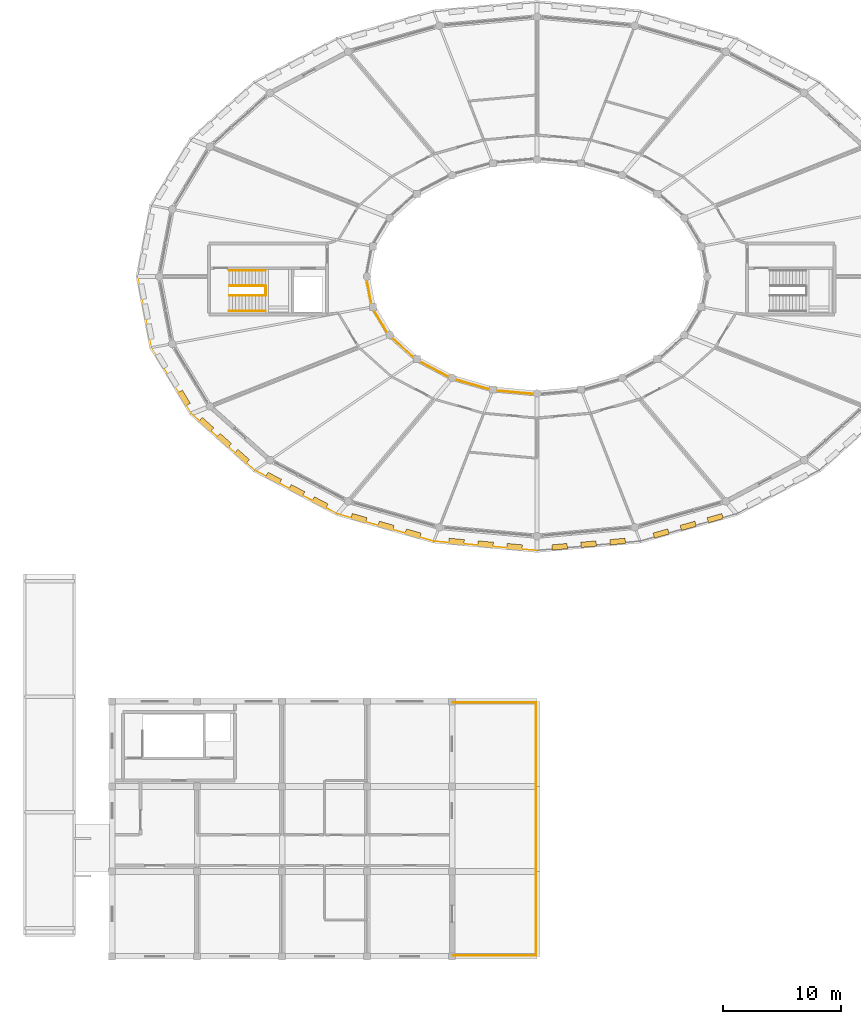
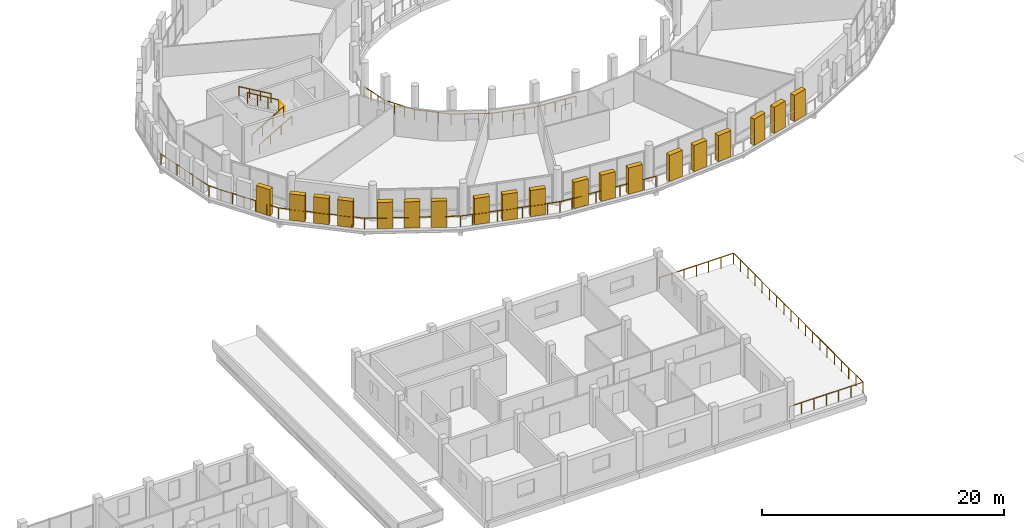
# One storey, part 88 of 93: 19 shading devices, 10 railings.
"""IFC4 building model written with IfcOpenShell, lengths in metres."""

from ifc_helpers import new_model, si_unit, direction, frame, origin, origin_2d, place, context, subcontext, project, spatial, rectangle, circle, extrude, material, type_object, element, save


model = new_model("IFC4")

# Units and contexts
model_context = context("Model", 3, precision=1e-05, world=origin(), true_north=direction((0.0, 1.0)))
body_context = subcontext(model_context, "Body", "Model", "MODEL_VIEW")
ifc_project = project(units=[si_unit("LENGTHUNIT", "METRE"), si_unit("AREAUNIT", "SQUARE_METRE"), si_unit("VOLUMEUNIT", "CUBIC_METRE"), si_unit("PLANEANGLEUNIT", "RADIAN"), si_unit("MASSUNIT", "GRAM", prefix="KILO")], contexts=[model_context])

# Site, building, storey
site_placement = place(None, origin())
site = spatial("IfcSite", under=ifc_project, at=site_placement, CompositionType="ELEMENT")
building_placement = place(site_placement, origin())
building = spatial("IfcBuilding", under=site, at=building_placement, Name="Zornivar Specialist Clinic", CompositionType="ELEMENT")
storey_placement = place(building_placement, frame((0.0, 0.0, 8.39990234375)))
storey = spatial("IfcBuildingStorey", under=building, at=storey_placement, Name="L02", CompositionType="ELEMENT", Elevation=8.39990234375)

# Railings
ifc_material_1 = material(Name="Painted Steel and Oiled Timber Balustrade", Category="steel")
railing_type_1 = type_object("IfcRailingType", Name="GRD-EXT-BALUST-1100", PredefinedType="BALUSTRADE", material=ifc_material_1)
railing_1_placement = place(storey_placement, frame((59.74609375, 57.571044921875, 0.0)))
element("IfcRailing", 1, at=railing_1_placement, inside=storey, type_object=railing_type_1, Name="rail:V1:L02:balc:q2", PredefinedType="BALUSTRADE", context=body_context, shape_type="SweptSolid", body=[
    extrude(circle(Radius=0.02392578125, at=origin_2d()), frame((0.0, 0.0, 1.076171875), z_axis=(0.188188814184, -0.982132867903, 0.0), x_axis=(0.982132867903, 0.188188814184, 0.0)), (0.0, 0.0, 1.0), 6.105224609375),
    extrude(circle(Radius=0.02392578125, at=origin_2d()), frame((1.14892578125, -5.99609375, 1.076171875), z_axis=(0.516422508188, -0.856333926127, 0.0), x_axis=(0.856333926127, 0.516422508188, 0.0)), (0.0, 0.0, 1.0), 6.5546875),
    extrude(circle(Radius=0.02392578125, at=origin_2d()), frame((4.533935546875, -11.609130859375, 1.076171875), z_axis=(0.745201542332, -0.666839306959, 0.0), x_axis=(0.666839306959, 0.745201542332, 0.0)), (0.0, 0.0, 1.0), 7.224853515625),
    extrude(circle(Radius=0.02392578125, at=origin_2d()), frame((9.91796875, -16.427001953125, 1.076171875), z_axis=(0.884811989173, -0.465948220101, 0.0), x_axis=(0.465948220101, 0.884811989173, 0.0)), (0.0, 0.0, 1.0), 7.92822265625),
    extrude(circle(Radius=0.02392578125, at=origin_2d()), frame((16.932861328125, -20.12109375, 1.076171875), z_axis=(0.961950479971, -0.273223853432, 0.0), x_axis=(0.273223853432, 0.961950479971, 0.0)), (0.0, 0.0, 1.0), 8.487060546875),
    extrude(circle(Radius=0.02392578125, at=origin_2d()), frame((25.096923828125, -22.43994140625, 1.076171875), z_axis=(0.995947380316, -0.089937843218, 0.0), x_axis=(0.089937843218, 0.995947380316, 0.0)), (0.0, 0.0, 1.0), 8.762451171875),
    extrude(circle(Radius=0.02099609375, at=origin_2d()), origin(), (0.0, 0.0, 1.0), 1.052001953125),
    extrude(circle(Radius=0.02099609375, at=origin_2d()), frame((0.19140625, -0.999267578125, 0.0)), (0.0, 0.0, 1.0), 1.052001953125),
    extrude(circle(Radius=0.02099609375, at=origin_2d()), frame((0.383056640625, -1.998779296875, 0.0)), (0.0, 0.0, 1.0), 1.052001953125),
    extrude(circle(Radius=0.02099609375, at=origin_2d()), frame((0.574462890625, -2.998046875, 0.0)), (0.0, 0.0, 1.0), 1.052001953125),
    extrude(circle(Radius=0.02099609375, at=origin_2d()), frame((0.765869140625, -3.997314453125, 0.0)), (0.0, 0.0, 1.0), 1.052001953125),
    extrude(circle(Radius=0.02099609375, at=origin_2d()), frame((0.95751953125, -4.996826171875, 0.0)), (0.0, 0.0, 1.0), 1.052001953125),
    extrude(circle(Radius=0.02099609375, at=origin_2d()), frame((1.14892578125, -5.99609375, 0.0)), (0.0, 0.0, 1.0), 1.052001953125),
    extrude(circle(Radius=0.02099609375, at=origin_2d()), frame((1.713134765625, -6.931640625, 0.0)), (0.0, 0.0, 1.0), 1.052001953125),
    extrude(circle(Radius=0.02099609375, at=origin_2d()), frame((2.27734375, -7.8671875, 0.0)), (0.0, 0.0, 1.0), 1.052001953125),
    extrude(circle(Radius=0.02099609375, at=origin_2d()), frame((2.84130859375, -8.802734375, 0.0)), (0.0, 0.0, 1.0), 1.052001953125),
    extrude(circle(Radius=0.02099609375, at=origin_2d()), frame((3.405517578125, -9.738037109375, 0.0)), (0.0, 0.0, 1.0), 1.052001953125),
    extrude(circle(Radius=0.02099609375, at=origin_2d()), frame((3.9697265625, -10.673583984375, 0.0)), (0.0, 0.0, 1.0), 1.052001953125),
    extrude(circle(Radius=0.02099609375, at=origin_2d()), frame((4.533935546875, -11.609130859375, 0.0)), (0.0, 0.0, 1.0), 1.052001953125),
    extrude(circle(Radius=0.02099609375, at=origin_2d()), frame((5.302978515625, -12.29736328125, 0.0)), (0.0, 0.0, 1.0), 1.052001953125),
    extrude(circle(Radius=0.02099609375, at=origin_2d()), frame((6.072265625, -12.985595703125, 0.0)), (0.0, 0.0, 1.0), 1.052001953125),
    extrude(circle(Radius=0.02099609375, at=origin_2d()), frame((6.84130859375, -13.673828125, 0.0)), (0.0, 0.0, 1.0), 1.052001953125),
    extrude(circle(Radius=0.02099609375, at=origin_2d()), frame((7.610595703125, -14.3623046875, 0.0)), (0.0, 0.0, 1.0), 1.052001953125),
    extrude(circle(Radius=0.02099609375, at=origin_2d()), frame((8.379638671875, -15.050537109375, 0.0)), (0.0, 0.0, 1.0), 1.052001953125),
    extrude(circle(Radius=0.02099609375, at=origin_2d()), frame((9.14892578125, -15.73876953125, 0.0)), (0.0, 0.0, 1.0), 1.052001953125),
    extrude(circle(Radius=0.02099609375, at=origin_2d()), frame((9.91796875, -16.427001953125, 0.0)), (0.0, 0.0, 1.0), 1.052001953125),
    extrude(circle(Radius=0.02099609375, at=origin_2d()), frame((10.920166015625, -16.954833984375, 0.0)), (0.0, 0.0, 1.0), 1.052001953125),
    extrude(circle(Radius=0.02099609375, at=origin_2d()), frame((11.922119140625, -17.482421875, 0.0)), (0.0, 0.0, 1.0), 1.052001953125),
    extrude(circle(Radius=0.02099609375, at=origin_2d()), frame((12.92431640625, -18.01025390625, 0.0)), (0.0, 0.0, 1.0), 1.052001953125),
    extrude(circle(Radius=0.02099609375, at=origin_2d()), frame((13.926513671875, -18.537841796875, 0.0)), (0.0, 0.0, 1.0), 1.052001953125),
    extrude(circle(Radius=0.02099609375, at=origin_2d()), frame((14.9287109375, -19.065673828125, 0.0)), (0.0, 0.0, 1.0), 1.052001953125),
    extrude(circle(Radius=0.02099609375, at=origin_2d()), frame((15.9306640625, -19.59326171875, 0.0)), (0.0, 0.0, 1.0), 1.052001953125),
    extrude(circle(Radius=0.02099609375, at=origin_2d()), frame((16.932861328125, -20.12109375, 0.0)), (0.0, 0.0, 1.0), 1.052001953125),
    extrude(circle(Radius=0.02099609375, at=origin_2d()), frame((17.953369140625, -20.410888671875, 0.0)), (0.0, 0.0, 1.0), 1.052001953125),
    extrude(circle(Radius=0.02099609375, at=origin_2d()), frame((18.973876953125, -20.70068359375, 0.0)), (0.0, 0.0, 1.0), 1.052001953125),
    extrude(circle(Radius=0.02099609375, at=origin_2d()), frame((19.994384765625, -20.99072265625, 0.0)), (0.0, 0.0, 1.0), 1.052001953125),
    extrude(circle(Radius=0.02099609375, at=origin_2d()), frame((21.014892578125, -21.280517578125, 0.0)), (0.0, 0.0, 1.0), 1.052001953125),
    extrude(circle(Radius=0.02099609375, at=origin_2d()), frame((22.035400390625, -21.5703125, 0.0)), (0.0, 0.0, 1.0), 1.052001953125),
    extrude(circle(Radius=0.02099609375, at=origin_2d()), frame((23.055908203125, -21.8603515625, 0.0)), (0.0, 0.0, 1.0), 1.052001953125),
    extrude(circle(Radius=0.02099609375, at=origin_2d()), frame((24.076416015625, -22.150146484375, 0.0)), (0.0, 0.0, 1.0), 1.052001953125),
    extrude(circle(Radius=0.02099609375, at=origin_2d()), frame((25.096923828125, -22.43994140625, 0.0)), (0.0, 0.0, 1.0), 1.052001953125),
    extrude(circle(Radius=0.02099609375, at=origin_2d()), frame((26.187744140625, -22.53857421875, 0.0)), (0.0, 0.0, 1.0), 1.052001953125),
    extrude(circle(Radius=0.02099609375, at=origin_2d()), frame((27.27880859375, -22.636962890625, 0.0)), (0.0, 0.0, 1.0), 1.052001953125),
    extrude(circle(Radius=0.02099609375, at=origin_2d()), frame((28.36962890625, -22.7353515625, 0.0)), (0.0, 0.0, 1.0), 1.052001953125),
    extrude(circle(Radius=0.02099609375, at=origin_2d()), frame((29.46044921875, -22.833984375, 0.0)), (0.0, 0.0, 1.0), 1.052001953125),
    extrude(circle(Radius=0.02099609375, at=origin_2d()), frame((30.55126953125, -22.9326171875, 0.0)), (0.0, 0.0, 1.0), 1.052001953125),
    extrude(circle(Radius=0.02099609375, at=origin_2d()), frame((31.64208984375, -23.031005859375, 0.0)), (0.0, 0.0, 1.0), 1.052001953125),
    extrude(circle(Radius=0.02099609375, at=origin_2d()), frame((32.733154296875, -23.12939453125, 0.0)), (0.0, 0.0, 1.0), 1.052001953125),
    extrude(circle(Radius=0.02099609375, at=origin_2d()), frame((33.823974609375, -23.22802734375, 0.0)), (0.0, 0.0, 1.0), 1.052001953125),
])
ifc_material_2 = material(Name="Brushed Stainless Steel Stair Guardrail", Category="steel")
railing_type_2 = type_object("IfcRailingType", Name="GRD-INT-STAIR-1100", PredefinedType="GUARDRAIL", material=ifc_material_2)
railing_2_placement = place(storey_placement, frame((67.5400390625, 55.97998046875, 0.162109375)))
element("IfcRailing", 2, at=railing_2_placement, inside=storey, type_object=railing_type_2, Name="stair:C3:L02:grd1", PredefinedType="GUARDRAIL", context=body_context, shape_type="SweptSolid", body=[
    extrude(circle(Radius=0.02392578125, at=origin_2d()), frame((0.0, 0.0, 1.076171875), z_axis=(0.858994273335, 0.0, 0.511985193514), x_axis=(0.0, 1.0, 0.0)), (0.0, 0.0, 1.0), 3.492431640625),
    extrude(circle(Radius=0.02099609375, at=origin_2d()), origin(), (0.0, 0.0, 1.0), 1.052001953125),
    extrude(circle(Radius=0.02099609375, at=origin_2d()), frame((1.0, 0.0, 0.595947265625)), (0.0, 0.0, 1.0), 1.052001953125),
    extrude(circle(Radius=0.02099609375, at=origin_2d()), frame((2.0, 0.0, 1.192138671875)), (0.0, 0.0, 1.0), 1.052001953125),
    extrude(circle(Radius=0.02099609375, at=origin_2d()), frame((3.0, 0.0, 1.7880859375)), (0.0, 0.0, 1.0), 1.052001953125),
])
railing_3_placement = place(storey_placement, frame((70.5400390625, 56.820068359375, 2.112060546875)))
element("IfcRailing", 3, at=railing_3_placement, inside=storey, type_object=railing_type_2, Name="stair:C3:L02:grd2", PredefinedType="GUARDRAIL", context=body_context, shape_type="SweptSolid", body=[
    extrude(circle(Radius=0.02392578125, at=origin_2d()), frame((0.0, 0.0, 1.076171875), z_axis=(-0.857480528274, 0.0, 0.51451641726), x_axis=(0.0, -1.0, 0.0)), (0.0, 0.0, 1.0), 3.475341796875),
    extrude(circle(Radius=0.02099609375, at=origin_2d()), origin(), (0.0, 0.0, 1.0), 1.052001953125),
    extrude(circle(Radius=0.02099609375, at=origin_2d()), frame((-0.993408203125, 0.0, 0.595947265625)), (0.0, 0.0, 1.0), 1.052001953125),
    extrude(circle(Radius=0.02099609375, at=origin_2d()), frame((-1.986572265625, 0.0, 1.192138671875)), (0.0, 0.0, 1.0), 1.052001953125),
    extrude(circle(Radius=0.02099609375, at=origin_2d()), frame((-2.97998046875, 0.0, 1.7880859375)), (0.0, 0.0, 1.0), 1.052001953125),
])
railing_4_placement = place(storey_placement, frame((70.610107421875, 55.97998046875, 1.9501953125)))
element("IfcRailing", 4, at=railing_4_placement, inside=storey, type_object=railing_type_2, Name="stair:C3:L02:grdl", PredefinedType="GUARDRAIL", context=body_context, shape_type="SweptSolid", body=[
    extrude(circle(Radius=0.02392578125, at=origin_2d()), frame((0.0, 0.0, 1.076171875), z_axis=(0.0, 1.0, 0.0), x_axis=(-1.0, 0.0, 0.0)), (0.0, 0.0, 1.0), 0.840087890625),
    extrude(circle(Radius=0.02099609375, at=origin_2d()), origin(), (0.0, 0.0, 1.0), 1.052001953125),
    extrude(circle(Radius=0.02099609375, at=origin_2d()), frame((0.0, 0.840087890625, 0.0)), (0.0, 0.0, 1.0), 1.052001953125),
])
railing_5_placement = place(storey_placement, frame((79.1259765625, 57.571044921875, 0.0)))
element("IfcRailing", 5, at=railing_5_placement, inside=storey, type_object=railing_type_2, Name="sg:V1:L02:atrium:q2", PredefinedType="GUARDRAIL", context=body_context, shape_type="SweptSolid", body=[
    extrude(circle(Radius=0.02392578125, at=origin_2d()), frame((0.0, 0.0, 1.076171875), z_axis=(0.187453881852, -0.982273405004, 0.0), x_axis=(0.982273405004, 0.187453881852, 0.0)), (0.0, 0.0, 1.0), 2.593017578125),
    extrude(circle(Radius=0.02392578125, at=origin_2d()), frame((0.486083984375, -2.547119140625, 1.076171875), z_axis=(0.51464941973, -0.857400708404, 0.0), x_axis=(0.857400708404, 0.51464941973, 0.0)), (0.0, 0.0, 1.0), 2.8037109375),
    extrude(circle(Radius=0.02392578125, at=origin_2d()), frame((1.928955078125, -4.950927734375, 1.076171875), z_axis=(0.74365166795, -0.668567271675, 0.0), x_axis=(0.668567271675, 0.74365166795, 0.0)), (0.0, 0.0, 1.0), 3.0888671875),
    extrude(circle(Radius=0.02392578125, at=origin_2d()), frame((4.22607421875, -7.01611328125, 1.076171875), z_axis=(0.883402524363, -0.46861495916, 0.0), x_axis=(0.46861495916, 0.883402524363, 0.0)), (0.0, 0.0, 1.0), 3.392578125),
    extrude(circle(Radius=0.02392578125, at=origin_2d()), frame((7.22314453125, -8.60595703125, 1.076171875), z_axis=(0.961186230387, -0.275900399627, 0.0), x_axis=(0.275900399627, 0.961186230387, 0.0)), (0.0, 0.0, 1.0), 3.635986328125),
    extrude(circle(Radius=0.02392578125, at=origin_2d()), frame((10.718017578125, -9.609130859375, 1.076171875), z_axis=(0.995889996682, -0.090571046743, 0.0), x_axis=(0.090571046743, 0.995889996682, 0.0)), (0.0, 0.0, 1.0), 3.741455078125),
    extrude(circle(Radius=0.02099609375, at=origin_2d()), origin(), (0.0, 0.0, 1.0), 1.052001953125),
    extrude(circle(Radius=0.02099609375, at=origin_2d()), frame((0.162109375, -0.84912109375, 0.0)), (0.0, 0.0, 1.0), 1.052001953125),
    extrude(circle(Radius=0.02099609375, at=origin_2d()), frame((0.323974609375, -1.697998046875, 0.0)), (0.0, 0.0, 1.0), 1.052001953125),
    extrude(circle(Radius=0.02099609375, at=origin_2d()), frame((0.486083984375, -2.547119140625, 0.0)), (0.0, 0.0, 1.0), 1.052001953125),
    extrude(circle(Radius=0.02099609375, at=origin_2d()), frame((0.967041015625, -3.348388671875, 0.0)), (0.0, 0.0, 1.0), 1.052001953125),
    extrude(circle(Radius=0.02099609375, at=origin_2d()), frame((1.447998046875, -4.149658203125, 0.0)), (0.0, 0.0, 1.0), 1.052001953125),
    extrude(circle(Radius=0.02099609375, at=origin_2d()), frame((1.928955078125, -4.950927734375, 0.0)), (0.0, 0.0, 1.0), 1.052001953125),
    extrude(circle(Radius=0.02099609375, at=origin_2d()), frame((2.694580078125, -5.639404296875, 0.0)), (0.0, 0.0, 1.0), 1.052001953125),
    extrude(circle(Radius=0.02099609375, at=origin_2d()), frame((3.46044921875, -6.32763671875, 0.0)), (0.0, 0.0, 1.0), 1.052001953125),
    extrude(circle(Radius=0.02099609375, at=origin_2d()), frame((4.22607421875, -7.01611328125, 0.0)), (0.0, 0.0, 1.0), 1.052001953125),
    extrude(circle(Radius=0.02099609375, at=origin_2d()), frame((5.22509765625, -7.546142578125, 0.0)), (0.0, 0.0, 1.0), 1.052001953125),
    extrude(circle(Radius=0.02099609375, at=origin_2d()), frame((6.22412109375, -8.075927734375, 0.0)), (0.0, 0.0, 1.0), 1.052001953125),
    extrude(circle(Radius=0.02099609375, at=origin_2d()), frame((7.22314453125, -8.60595703125, 0.0)), (0.0, 0.0, 1.0), 1.052001953125),
    extrude(circle(Radius=0.02099609375, at=origin_2d()), frame((8.096923828125, -8.856689453125, 0.0)), (0.0, 0.0, 1.0), 1.052001953125),
    extrude(circle(Radius=0.02099609375, at=origin_2d()), frame((8.970703125, -9.107421875, 0.0)), (0.0, 0.0, 1.0), 1.052001953125),
    extrude(circle(Radius=0.02099609375, at=origin_2d()), frame((9.84423828125, -9.3583984375, 0.0)), (0.0, 0.0, 1.0), 1.052001953125),
    extrude(circle(Radius=0.02099609375, at=origin_2d()), frame((10.718017578125, -9.609130859375, 0.0)), (0.0, 0.0, 1.0), 1.052001953125),
    extrude(circle(Radius=0.02099609375, at=origin_2d()), frame((11.6494140625, -9.69384765625, 0.0)), (0.0, 0.0, 1.0), 1.052001953125),
    extrude(circle(Radius=0.02099609375, at=origin_2d()), frame((12.5810546875, -9.778564453125, 0.0)), (0.0, 0.0, 1.0), 1.052001953125),
    extrude(circle(Radius=0.02099609375, at=origin_2d()), frame((13.5126953125, -9.86328125, 0.0)), (0.0, 0.0, 1.0), 1.052001953125),
    extrude(circle(Radius=0.02099609375, at=origin_2d()), frame((14.444091796875, -9.947998046875, 0.0)), (0.0, 0.0, 1.0), 1.052001953125),
])
ifc_material_3 = material(Name="Anodised Bronze Terrace Guardrail")
railing_type_3 = type_object("IfcRailingType", Name="GRD-TERR-GUARD-1120", PredefinedType="GUARDRAIL", material=ifc_material_3)
railing_6_placement = place(storey_placement, frame((86.47998046875, 0.080078125, 0.0)))
element("IfcRailing", 6, at=railing_6_placement, inside=storey, type_object=railing_type_3, Name="rail:V3:L02:terr:0:0", PredefinedType="GUARDRAIL", context=body_context, shape_type="SweptSolid", body=[
    extrude(circle(Radius=0.02392578125, at=origin_2d()), frame((0.0, 0.0, 1.09619140625), z_axis=(1.0, 0.0, 0.0), x_axis=(0.0, 1.0, 0.0)), (0.0, 0.0, 1.0), 7.0400390625),
    extrude(circle(Radius=0.02099609375, at=origin_2d()), origin(), (0.0, 0.0, 1.0), 1.072021484375),
    extrude(circle(Radius=0.02099609375, at=origin_2d()), frame((1.17333984375, 0.0, 0.0)), (0.0, 0.0, 1.0), 1.072021484375),
    extrude(circle(Radius=0.02099609375, at=origin_2d()), frame((2.3466796875, 0.0, 0.0)), (0.0, 0.0, 1.0), 1.072021484375),
    extrude(circle(Radius=0.02099609375, at=origin_2d()), frame((3.52001953125, 0.0, 0.0)), (0.0, 0.0, 1.0), 1.072021484375),
    extrude(circle(Radius=0.02099609375, at=origin_2d()), frame((4.693359375, 0.0, 0.0)), (0.0, 0.0, 1.0), 1.072021484375),
    extrude(circle(Radius=0.02099609375, at=origin_2d()), frame((5.86669921875, 0.0, 0.0)), (0.0, 0.0, 1.0), 1.072021484375),
    extrude(circle(Radius=0.02099609375, at=origin_2d()), frame((7.0400390625, 0.0, 0.0)), (0.0, 0.0, 1.0), 1.072021484375),
])
railing_7_placement = place(storey_placement, frame((93.52001953125, 0.080078125, 0.0)))
element("IfcRailing", 7, at=railing_7_placement, inside=storey, type_object=railing_type_3, Name="rail:V3:L02:terr:0:1", PredefinedType="GUARDRAIL", context=body_context, shape_type="SweptSolid", body=[
    extrude(circle(Radius=0.02392578125, at=origin_2d()), frame((0.0, 0.0, 1.09619140625), z_axis=(0.0, 1.0, 0.0), x_axis=(-1.0, 0.0, 0.0)), (0.0, 0.0, 1.0), 21.43994140625),
    extrude(circle(Radius=0.02099609375, at=origin_2d()), origin(), (0.0, 0.0, 1.0), 1.072021484375),
    extrude(circle(Radius=0.02099609375, at=origin_2d()), frame((0.0, 1.191162109375, 0.0)), (0.0, 0.0, 1.0), 1.072021484375),
    extrude(circle(Radius=0.02099609375, at=origin_2d()), frame((0.0, 2.38232421875, 0.0)), (0.0, 0.0, 1.0), 1.072021484375),
    extrude(circle(Radius=0.02099609375, at=origin_2d()), frame((0.0, 3.5732421875, 0.0)), (0.0, 0.0, 1.0), 1.072021484375),
    extrude(circle(Radius=0.02099609375, at=origin_2d()), frame((0.0, 4.764404296875, 0.0)), (0.0, 0.0, 1.0), 1.072021484375),
    extrude(circle(Radius=0.02099609375, at=origin_2d()), frame((0.0, 5.95556640625, 0.0)), (0.0, 0.0, 1.0), 1.072021484375),
    extrude(circle(Radius=0.02099609375, at=origin_2d()), frame((0.0, 7.146728515625, 0.0)), (0.0, 0.0, 1.0), 1.072021484375),
    extrude(circle(Radius=0.02099609375, at=origin_2d()), frame((0.0, 8.337646484375, 0.0)), (0.0, 0.0, 1.0), 1.072021484375),
    extrude(circle(Radius=0.02099609375, at=origin_2d()), frame((0.0, 9.52880859375, 0.0)), (0.0, 0.0, 1.0), 1.072021484375),
    extrude(circle(Radius=0.02099609375, at=origin_2d()), frame((0.0, 10.719970703125, 0.0)), (0.0, 0.0, 1.0), 1.072021484375),
    extrude(circle(Radius=0.02099609375, at=origin_2d()), frame((0.0, 11.9111328125, 0.0)), (0.0, 0.0, 1.0), 1.072021484375),
    extrude(circle(Radius=0.02099609375, at=origin_2d()), frame((0.0, 13.102294921875, 0.0)), (0.0, 0.0, 1.0), 1.072021484375),
    extrude(circle(Radius=0.02099609375, at=origin_2d()), frame((0.0, 14.293212890625, 0.0)), (0.0, 0.0, 1.0), 1.072021484375),
    extrude(circle(Radius=0.02099609375, at=origin_2d()), frame((0.0, 15.484375, 0.0)), (0.0, 0.0, 1.0), 1.072021484375),
    extrude(circle(Radius=0.02099609375, at=origin_2d()), frame((0.0, 16.675537109375, 0.0)), (0.0, 0.0, 1.0), 1.072021484375),
    extrude(circle(Radius=0.02099609375, at=origin_2d()), frame((0.0, 17.86669921875, 0.0)), (0.0, 0.0, 1.0), 1.072021484375),
    extrude(circle(Radius=0.02099609375, at=origin_2d()), frame((0.0, 19.0576171875, 0.0)), (0.0, 0.0, 1.0), 1.072021484375),
    extrude(circle(Radius=0.02099609375, at=origin_2d()), frame((0.0, 20.248779296875, 0.0)), (0.0, 0.0, 1.0), 1.072021484375),
    extrude(circle(Radius=0.02099609375, at=origin_2d()), frame((0.0, 21.43994140625, 0.0)), (0.0, 0.0, 1.0), 1.072021484375),
])
railing_8_placement = place(storey_placement, frame((93.52001953125, 21.52001953125, 0.0)))
element("IfcRailing", 8, at=railing_8_placement, inside=storey, type_object=railing_type_3, Name="rail:V3:L02:terr:0:2", PredefinedType="GUARDRAIL", context=body_context, shape_type="SweptSolid", body=[
    extrude(circle(Radius=0.02392578125, at=origin_2d()), frame((0.0, 0.0, 1.09619140625), z_axis=(-1.0, 0.0, 0.0), x_axis=(0.0, -1.0, 0.0)), (0.0, 0.0, 1.0), 7.0400390625),
    extrude(circle(Radius=0.02099609375, at=origin_2d()), origin(), (0.0, 0.0, 1.0), 1.072021484375),
    extrude(circle(Radius=0.02099609375, at=origin_2d()), frame((-1.17333984375, 0.0, 0.0)), (0.0, 0.0, 1.0), 1.072021484375),
    extrude(circle(Radius=0.02099609375, at=origin_2d()), frame((-2.3466796875, 0.0, 0.0)), (0.0, 0.0, 1.0), 1.072021484375),
    extrude(circle(Radius=0.02099609375, at=origin_2d()), frame((-3.52001953125, 0.0, 0.0)), (0.0, 0.0, 1.0), 1.072021484375),
    extrude(circle(Radius=0.02099609375, at=origin_2d()), frame((-4.693359375, 0.0, 0.0)), (0.0, 0.0, 1.0), 1.072021484375),
    extrude(circle(Radius=0.02099609375, at=origin_2d()), frame((-5.86669921875, 0.0, 0.0)), (0.0, 0.0, 1.0), 1.072021484375),
    extrude(circle(Radius=0.02099609375, at=origin_2d()), frame((-7.0400390625, 0.0, 0.0)), (0.0, 0.0, 1.0), 1.072021484375),
])
ifc_material_4 = material(Name="Brushed Stainless Steel Continuous Handrail", Category="steel")
railing_type_4 = type_object("IfcRailingType", Name="HRL-STAIR-0920", PredefinedType="HANDRAIL", material=ifc_material_4)
railing_9_placement = place(storey_placement, frame((67.5, 54.669921875, 0.162109375)))
element("IfcRailing", 9, at=railing_9_placement, inside=storey, type_object=railing_type_4, Name="stair:C3:L02:hr1", PredefinedType="HANDRAIL", context=body_context, shape_type="SweptSolid", body=[
    extrude(circle(Radius=0.02392578125, at=origin_2d()), frame((0.0, 0.0, 0.89599609375), z_axis=(0.864831194036, 0.0, 0.502062750881), x_axis=(0.0, 1.0, 0.0)), (0.0, 0.0, 1.0), 3.5615234375),
    extrude(circle(Radius=0.02099609375, at=origin_2d()), origin(), (0.0, 0.0, 1.0), 0.871826171875),
    extrude(circle(Radius=0.02099609375, at=origin_2d()), frame((1.026611328125, 0.0, 0.595947265625)), (0.0, 0.0, 1.0), 0.871826171875),
    extrude(circle(Radius=0.02099609375, at=origin_2d()), frame((2.053466796875, 0.0, 1.192138671875)), (0.0, 0.0, 1.0), 0.871826171875),
    extrude(circle(Radius=0.02099609375, at=origin_2d()), frame((3.080078125, 0.0, 1.7880859375)), (0.0, 0.0, 1.0), 0.871826171875),
])
railing_10_placement = place(storey_placement, frame((70.580078125, 58.1298828125, 2.112060546875)))
element("IfcRailing", 10, at=railing_10_placement, inside=storey, type_object=railing_type_4, Name="stair:C3:L02:hr2", PredefinedType="HANDRAIL", context=body_context, shape_type="SweptSolid", body=[
    extrude(circle(Radius=0.02392578125, at=origin_2d()), frame((0.0, 0.0, 0.89599609375), z_axis=(-0.863403899328, 0.0, 0.504513336419), x_axis=(0.0, -1.0, 0.0)), (0.0, 0.0, 1.0), 3.544189453125),
    extrude(circle(Radius=0.02099609375, at=origin_2d()), origin(), (0.0, 0.0, 1.0), 0.871826171875),
    extrude(circle(Radius=0.02099609375, at=origin_2d()), frame((-1.02001953125, 0.0, 0.595947265625)), (0.0, 0.0, 1.0), 0.871826171875),
    extrude(circle(Radius=0.02099609375, at=origin_2d()), frame((-2.0400390625, 0.0, 1.192138671875)), (0.0, 0.0, 1.0), 0.871826171875),
    extrude(circle(Radius=0.02099609375, at=origin_2d()), frame((-3.06005859375, 0.0, 1.7880859375)), (0.0, 0.0, 1.0), 0.871826171875),
])

# Shading devices
ifc_material_5 = material(Name="Oiled European Larch Timber Louvre Shutter", Category="wood")
shading_device_type = type_object("IfcShadingDeviceType", Name="SHD-DRUM-SHUTTER-450", PredefinedType="SHUTTER", material=ifc_material_5)
for number, where, z_axis, x_axis, name in (
    (11, (63.693115234375, 47.305908203125, 0.000244140625), (0.0, 0.0, 1.0), (0.516018019467, -0.856577727696, 0.0), "shutter:V1:L02:c13:2"),
    (12, (65.576904296875, 45.06396484375, 0.000244140625), (0.0, 0.0, 1.0), (0.744796712128, -0.667291433785, 0.0), "shutter:V1:L02:c14:0"),
    (13, (67.0859375, 43.7109375, 0.000244140625), (0.0, 0.0, 1.0), (0.744796712128, -0.667291433785, 0.0), "shutter:V1:L02:c14:1"),
    (14, (68.595947265625, 42.35888671875, 0.000244140625), (0.0, 0.0, 1.0), (0.744796712128, -0.667291433785, 0.0), "shutter:V1:L02:c14:2"),
    (15, (71.277099609375, 40.51611328125, 0.000244140625), (0.0, 0.0, 1.0), (0.884469914632, -0.466597224713, 0.0), "shutter:V1:L02:c15:0"),
    (16, (73.243896484375, 39.47802734375, 0.000244140625), (0.0, 0.0, 1.0), (0.884469914632, -0.466597224713, 0.0), "shutter:V1:L02:c15:1"),
    (17, (75.2109375, 38.43994140625, 0.000244140625), (0.0, 0.0, 1.0), (0.884469914632, -0.466597224713, 0.0), "shutter:V1:L02:c15:2"),
    (18, (78.508056640625, 37.132080078125, 0.000244140625), (0.0, 0.0, 1.0), (0.961785255901, -0.273804896838, 0.0), "shutter:V1:L02:c16:0"),
    (19, (80.799072265625, 36.47998046875, 0.000244140625), (0.0, 0.0, 1.0), (0.961785255901, -0.273804896838, 0.0), "shutter:V1:L02:c16:1"),
    (20, (83.090087890625, 35.827880859375, 0.000244140625), (0.0, 0.0, 1.0), (0.961785255901, -0.273804896838, 0.0), "shutter:V1:L02:c16:2"),
    (21, (86.77490234375, 35.14892578125, 0.000244140625), (0.0, 0.0, 1.0), (0.995924761284, -0.090187969607, 0.0), "shutter:V1:L02:c17:0"),
    (22, (89.23291015625, 34.926025390625, 0.000244140625), (0.0, 0.0, 1.0), (0.995924761284, -0.090187969607, 0.0), "shutter:V1:L02:c17:1"),
    (23, (91.69091796875, 34.7041015625, 0.000244140625), (0.0, 0.0, 1.0), (0.995924761284, -0.090187969607, 0.0), "shutter:V1:L02:c17:2"),
    (24, (95.509033203125, 34.7041015625, 0.000244140625), (0.0, 0.0, 1.0), (0.995924761284, 0.090187969607, 0.0), "shutter:V1:L02:c18:0"),
    (25, (97.967041015625, 34.926025390625, 0.000244140625), (0.0, 0.0, 1.0), (0.995924761284, 0.090187969607, 0.0), "shutter:V1:L02:c18:1"),
    (26, (100.425048828125, 35.14892578125, 0.000244140625), (0.0, 0.0, 1.0), (0.995924761284, 0.090187969607, 0.0), "shutter:V1:L02:c18:2"),
    (27, (104.110107421875, 35.827880859375, 0.000244140625), (0.0, 0.0, 1.0), (0.961785255901, 0.273804896838, 0.0), "shutter:V1:L02:c19:0"),
    (28, (106.40087890625, 36.47998046875, 0.000244140625), (0.0, 0.0, 1.0), (0.961785255901, 0.273804896838, 0.0), "shutter:V1:L02:c19:1"),
    (29, (108.69189453125, 37.132080078125, 0.000244140625), (0.0, 0.0, 1.0), (0.961785255901, 0.273804896838, 0.0), "shutter:V1:L02:c19:2"),
):
    element("IfcShadingDevice", number, at=place(storey_placement, frame(where, z_axis=z_axis, x_axis=x_axis)), inside=storey, type_object=shading_device_type, Name=name, PredefinedType="SHUTTER", context=body_context, shape_type="SweptSolid", body=[
        extrude(rectangle(XDim=1.300048828125, YDim=0.449951171875, at=origin_2d()), origin(), (0.0, 0.0, 1.0), 2.64990234375),
    ])

save(model, "model.ifc")
